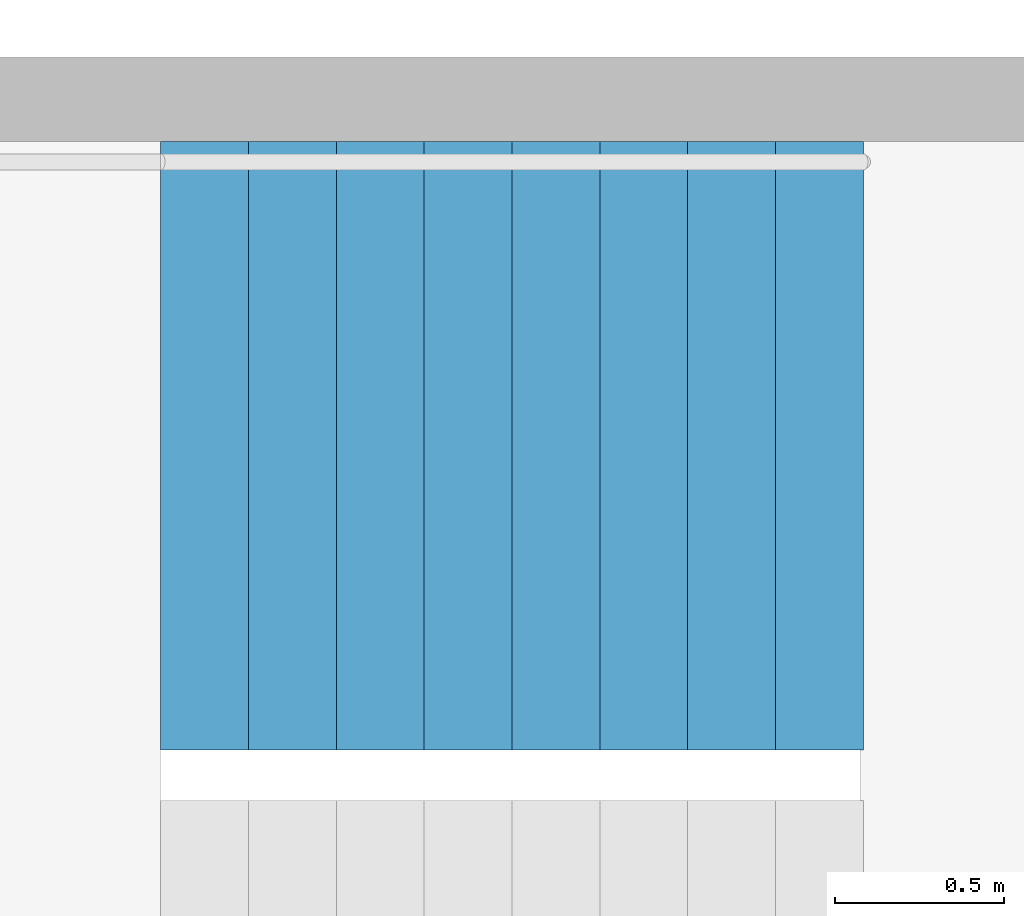
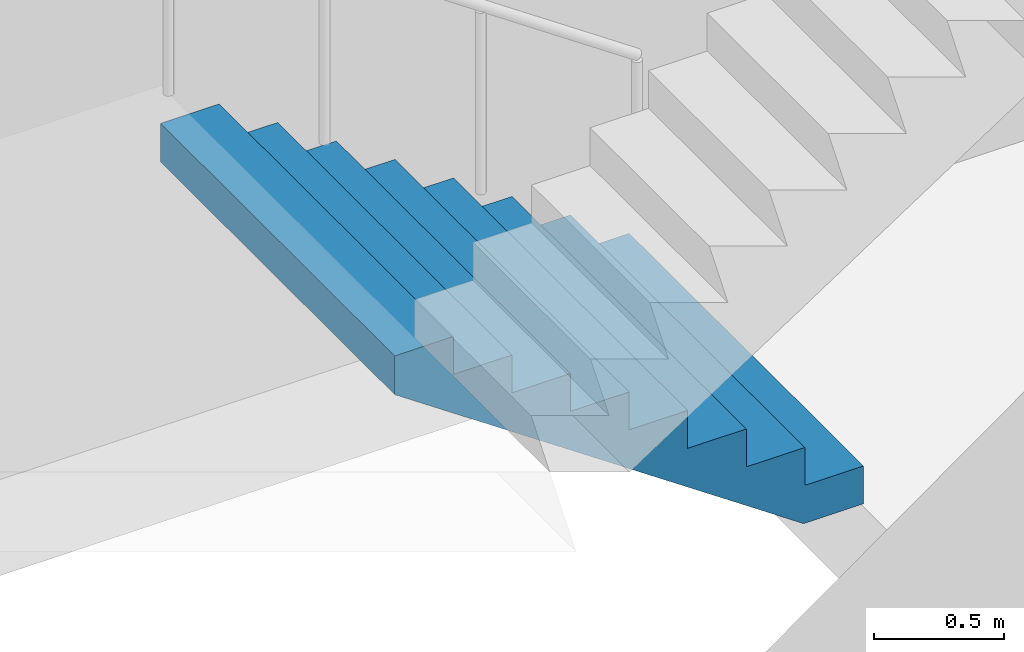
# One storey, part 19 of 26: 1 stair flight, 1 element without a shape of its own.
"""IFC4 building model written with IfcOpenShell, lengths in metres."""

from ifc_helpers import new_model, si_unit, direction, frame, origin, place, context, subcontext, project, spatial, triangles, material, type_object, element, aggregate, save


model = new_model("IFC4")

# Units and contexts
model_context = context("Model", 3, precision=1e-05, world=origin(), true_north=direction((0.0, 1.0)))
body_context = subcontext(model_context, "Body", "Model", "MODEL_VIEW")
ifc_project = project(units=[si_unit("LENGTHUNIT", "METRE"), si_unit("AREAUNIT", "SQUARE_METRE"), si_unit("VOLUMEUNIT", "CUBIC_METRE"), si_unit("PLANEANGLEUNIT", "RADIAN"), si_unit("MASSUNIT", "GRAM", prefix="KILO")], contexts=[model_context])

# Site, building, storey
site_placement = place(None, origin())
site = spatial("IfcSite", under=ifc_project, at=site_placement, CompositionType="ELEMENT")
building_placement = place(site_placement, origin())
building = spatial("IfcBuilding", under=site, at=building_placement, Name="Hakoniwa Tower and Hamabe Station Hall", CompositionType="ELEMENT")
storey_placement = place(building_placement, frame((0.0, 0.0, 172.60009765625)))
storey = spatial("IfcBuildingStorey", under=building, at=storey_placement, Name="L49", CompositionType="ELEMENT", Elevation=172.60009765625)

# Stair, stair flight
ifc_material_1 = material(Name="Concrete C40", Category="concrete")
stair_type = type_object("IfcStairType", Name="ESCAPE STAIR 1800", PredefinedType="HALF_TURN_STAIR", material=ifc_material_1)
stair_placement = place(storey_placement, origin())
stair = element("IfcStair", 1, at=stair_placement, inside=storey, type_object=stair_type, Name="Escape stair ST-2 L49", PredefinedType="HALF_TURN_STAIR")
ifc_material_2 = material(Name="Concrete C40", Category="concrete")
stair_flight_type = type_object("IfcStairFlightType", Name="STAIR FLIGHT 1800", PredefinedType="STRAIGHT", material=ifc_material_2)
stair_flight_placement = place(storey_placement, frame((-23.39990234375, -4.64990234375, 0.0), z_axis=(0.0, 0.0, 1.0), x_axis=(-1.0, 0.0, 0.0)))
stair_flight = element("IfcStairFlight", 2, at=stair_flight_placement, type_object=stair_flight_type, Name="ST-2 flight 1", NumberOfRisers=9, NumberOfTreads=8, PredefinedType="STRAIGHT", RiserHeight=0.177777778, TreadLength=0.26, context=body_context, shape_type="Tessellation", body=[
    triangles([(0.0, 0.89990234375, 0.0), (0.260009765625, 0.89990234375, 0.0), (0.265625, 0.89990234375, 0.0), (0.52001953125, 0.89990234375, 0.174072265625), (0.780029296875, 0.89990234375, 0.351806640625), (1.0400390625, 0.89990234375, 0.529541015625), (1.300048828125, 0.89990234375, 0.707275390625), (1.56005859375, 0.89990234375, 0.885009765625), (1.820068359375, 0.89990234375, 1.062744140625), (2.080078125, 0.89990234375, 1.24072265625), (2.080078125, 0.89990234375, 1.422119140625), (1.820068359375, 0.89990234375, 1.422119140625), (1.820068359375, 0.89990234375, 1.244384765625), (1.56005859375, 0.89990234375, 1.244384765625), (1.56005859375, 0.89990234375, 1.066650390625), (1.300048828125, 0.89990234375, 1.066650390625), (1.300048828125, 0.89990234375, 0.888916015625), (1.0400390625, 0.89990234375, 0.888916015625), (1.0400390625, 0.89990234375, 0.711181640625), (0.780029296875, 0.89990234375, 0.711181640625), (0.780029296875, 0.89990234375, 0.533447265625), (0.52001953125, 0.89990234375, 0.533447265625), (0.52001953125, 0.89990234375, 0.35546875), (0.265625, 0.89990234375, 0.35546875), (0.260009765625, 0.89990234375, 0.35546875), (0.260009765625, 0.89990234375, 0.177734375), (0.0, 0.89990234375, 0.177734375), (0.0, 0.06005859375, 0.0), (0.260009765625, 0.06005859375, 0.0), (0.265625, 0.06005859375, 0.0), (0.52001953125, 0.06005859375, 0.174072265625), (0.780029296875, 0.06005859375, 0.351806640625), (1.0400390625, 0.06005859375, 0.529541015625), (1.300048828125, 0.06005859375, 0.707275390625), (1.56005859375, 0.06005859375, 0.885009765625), (1.820068359375, 0.06005859375, 1.062744140625), (2.080078125, 0.06005859375, 1.24072265625), (2.080078125, 0.06005859375, 1.422119140625), (1.820068359375, 0.06005859375, 1.422119140625), (1.820068359375, 0.06005859375, 1.244384765625), (1.56005859375, 0.06005859375, 1.244384765625), (1.56005859375, 0.06005859375, 1.066650390625), (1.300048828125, 0.06005859375, 1.066650390625), (1.300048828125, 0.06005859375, 0.888916015625), (1.0400390625, 0.06005859375, 0.888916015625), (1.0400390625, 0.06005859375, 0.711181640625), (0.780029296875, 0.06005859375, 0.711181640625), (0.780029296875, 0.06005859375, 0.533447265625), (0.52001953125, 0.06005859375, 0.533447265625), (0.52001953125, 0.06005859375, 0.35546875), (0.265625, 0.06005859375, 0.35546875), (0.260009765625, 0.06005859375, 0.35546875), (0.260009765625, 0.06005859375, 0.177734375), (0.0, 0.06005859375, 0.177734375), (0.0, 0.04296875, 0.0), (0.260009765625, 0.04296875, 0.0), (0.265625, 0.04296875, 0.0), (0.52001953125, 0.04296875, 0.174072265625), (0.780029296875, 0.04296875, 0.351806640625), (1.0400390625, 0.04296875, 0.529541015625), (1.300048828125, 0.04296875, 0.707275390625), (1.56005859375, 0.04296875, 0.885009765625), (1.820068359375, 0.04296875, 1.062744140625), (2.080078125, 0.04296875, 1.24072265625), (2.080078125, 0.04296875, 1.422119140625), (1.820068359375, 0.04296875, 1.422119140625), (1.820068359375, 0.04296875, 1.244384765625), (1.56005859375, 0.04296875, 1.244384765625), (1.56005859375, 0.04296875, 1.066650390625), (1.300048828125, 0.04296875, 1.066650390625), (1.300048828125, 0.04296875, 0.888916015625), (1.0400390625, 0.04296875, 0.888916015625), (1.0400390625, 0.04296875, 0.711181640625), (0.780029296875, 0.04296875, 0.711181640625), (0.780029296875, 0.04296875, 0.533447265625), (0.52001953125, 0.04296875, 0.533447265625), (0.52001953125, 0.04296875, 0.35546875), (0.265625, 0.04296875, 0.35546875), (0.260009765625, 0.04296875, 0.35546875), (0.260009765625, 0.04296875, 0.177734375), (0.0, 0.04296875, 0.177734375), (0.0, 0.025634765625, 0.0), (0.260009765625, 0.025634765625, 0.0), (0.265625, 0.025634765625, 0.0), (0.52001953125, 0.025634765625, 0.174072265625), (0.780029296875, 0.025634765625, 0.351806640625), (1.0400390625, 0.025634765625, 0.529541015625), (1.300048828125, 0.025634765625, 0.707275390625), (1.56005859375, 0.025634765625, 0.885009765625), (1.820068359375, 0.025634765625, 1.062744140625), (2.080078125, 0.025634765625, 1.24072265625), (2.080078125, 0.025634765625, 1.422119140625), (1.820068359375, 0.025634765625, 1.422119140625), (1.820068359375, 0.025634765625, 1.244384765625), (1.56005859375, 0.025634765625, 1.244384765625), (1.56005859375, 0.025634765625, 1.066650390625), (1.300048828125, 0.025634765625, 1.066650390625), (1.300048828125, 0.025634765625, 0.888916015625), (1.0400390625, 0.025634765625, 0.888916015625), (1.0400390625, 0.025634765625, 0.711181640625), (0.780029296875, 0.025634765625, 0.711181640625), (0.780029296875, 0.025634765625, 0.533447265625), (0.52001953125, 0.025634765625, 0.533447265625), (0.52001953125, 0.025634765625, 0.35546875), (0.265625, 0.025634765625, 0.35546875), (0.260009765625, 0.025634765625, 0.35546875), (0.260009765625, 0.025634765625, 0.177734375), (0.0, 0.025634765625, 0.177734375), (0.0, 0.008544921875, 0.0), (0.260009765625, 0.008544921875, 0.0), (0.265625, 0.008544921875, 0.0), (0.52001953125, 0.008544921875, 0.174072265625), (0.780029296875, 0.008544921875, 0.351806640625), (1.0400390625, 0.008544921875, 0.529541015625), (1.300048828125, 0.008544921875, 0.707275390625), (1.56005859375, 0.008544921875, 0.885009765625), (1.820068359375, 0.008544921875, 1.062744140625), (2.080078125, 0.008544921875, 1.24072265625), (2.080078125, 0.008544921875, 1.422119140625), (1.820068359375, 0.008544921875, 1.422119140625), (1.820068359375, 0.008544921875, 1.244384765625), (1.56005859375, 0.008544921875, 1.244384765625), (1.56005859375, 0.008544921875, 1.066650390625), (1.300048828125, 0.008544921875, 1.066650390625), (1.300048828125, 0.008544921875, 0.888916015625), (1.0400390625, 0.008544921875, 0.888916015625), (1.0400390625, 0.008544921875, 0.711181640625), (0.780029296875, 0.008544921875, 0.711181640625), (0.780029296875, 0.008544921875, 0.533447265625), (0.52001953125, 0.008544921875, 0.533447265625), (0.52001953125, 0.008544921875, 0.35546875), (0.265625, 0.008544921875, 0.35546875), (0.260009765625, 0.008544921875, 0.35546875), (0.260009765625, 0.008544921875, 0.177734375), (0.0, 0.008544921875, 0.177734375), (0.0, -0.008544921875, 0.0), (0.260009765625, -0.008544921875, 0.0), (0.265625, -0.008544921875, 0.0), (0.52001953125, -0.008544921875, 0.174072265625), (0.780029296875, -0.008544921875, 0.351806640625), (1.0400390625, -0.008544921875, 0.529541015625), (1.300048828125, -0.008544921875, 0.707275390625), (1.56005859375, -0.008544921875, 0.885009765625), (1.820068359375, -0.008544921875, 1.062744140625), (2.080078125, -0.008544921875, 1.24072265625), (2.080078125, -0.008544921875, 1.422119140625), (1.820068359375, -0.008544921875, 1.422119140625), (1.820068359375, -0.008544921875, 1.244384765625), (1.56005859375, -0.008544921875, 1.244384765625), (1.56005859375, -0.008544921875, 1.066650390625), (1.300048828125, -0.008544921875, 1.066650390625), (1.300048828125, -0.008544921875, 0.888916015625), (1.0400390625, -0.008544921875, 0.888916015625), (1.0400390625, -0.008544921875, 0.711181640625), (0.780029296875, -0.008544921875, 0.711181640625), (0.780029296875, -0.008544921875, 0.533447265625), (0.52001953125, -0.008544921875, 0.533447265625), (0.52001953125, -0.008544921875, 0.35546875), (0.265625, -0.008544921875, 0.35546875), (0.260009765625, -0.008544921875, 0.35546875), (0.260009765625, -0.008544921875, 0.177734375), (0.0, -0.008544921875, 0.177734375), (0.0, -0.025634765625, 0.0), (0.260009765625, -0.025634765625, 0.0), (0.265625, -0.025634765625, 0.0), (0.52001953125, -0.025634765625, 0.174072265625), (0.780029296875, -0.025634765625, 0.351806640625), (1.0400390625, -0.025634765625, 0.529541015625), (1.300048828125, -0.025634765625, 0.707275390625), (1.56005859375, -0.025634765625, 0.885009765625), (1.820068359375, -0.025634765625, 1.062744140625), (2.080078125, -0.025634765625, 1.24072265625), (2.080078125, -0.025634765625, 1.422119140625), (1.820068359375, -0.025634765625, 1.422119140625), (1.820068359375, -0.025634765625, 1.244384765625), (1.56005859375, -0.025634765625, 1.244384765625), (1.56005859375, -0.025634765625, 1.066650390625), (1.300048828125, -0.025634765625, 1.066650390625), (1.300048828125, -0.025634765625, 0.888916015625), (1.0400390625, -0.025634765625, 0.888916015625), (1.0400390625, -0.025634765625, 0.711181640625), (0.780029296875, -0.025634765625, 0.711181640625), (0.780029296875, -0.025634765625, 0.533447265625), (0.52001953125, -0.025634765625, 0.533447265625), (0.52001953125, -0.025634765625, 0.35546875), (0.265625, -0.025634765625, 0.35546875), (0.260009765625, -0.025634765625, 0.35546875), (0.260009765625, -0.025634765625, 0.177734375), (0.0, -0.025634765625, 0.177734375), (0.0, -0.04296875, 0.0), (0.260009765625, -0.04296875, 0.0), (0.265625, -0.04296875, 0.0), (0.52001953125, -0.04296875, 0.174072265625), (0.780029296875, -0.04296875, 0.351806640625), (1.0400390625, -0.04296875, 0.529541015625), (1.300048828125, -0.04296875, 0.707275390625), (1.56005859375, -0.04296875, 0.885009765625), (1.820068359375, -0.04296875, 1.062744140625), (2.080078125, -0.04296875, 1.24072265625), (2.080078125, -0.04296875, 1.422119140625), (1.820068359375, -0.04296875, 1.422119140625), (1.820068359375, -0.04296875, 1.244384765625), (1.56005859375, -0.04296875, 1.244384765625), (1.56005859375, -0.04296875, 1.066650390625), (1.300048828125, -0.04296875, 1.066650390625), (1.300048828125, -0.04296875, 0.888916015625), (1.0400390625, -0.04296875, 0.888916015625), (1.0400390625, -0.04296875, 0.711181640625), (0.780029296875, -0.04296875, 0.711181640625), (0.780029296875, -0.04296875, 0.533447265625), (0.52001953125, -0.04296875, 0.533447265625), (0.52001953125, -0.04296875, 0.35546875), (0.265625, -0.04296875, 0.35546875), (0.260009765625, -0.04296875, 0.35546875), (0.260009765625, -0.04296875, 0.177734375), (0.0, -0.04296875, 0.177734375), (0.0, -0.06005859375, 0.0), (0.260009765625, -0.06005859375, 0.0), (0.265625, -0.06005859375, 0.0), (0.52001953125, -0.06005859375, 0.174072265625), (0.780029296875, -0.06005859375, 0.351806640625), (1.0400390625, -0.06005859375, 0.529541015625), (1.300048828125, -0.06005859375, 0.707275390625), (1.56005859375, -0.06005859375, 0.885009765625), (1.820068359375, -0.06005859375, 1.062744140625), (2.080078125, -0.06005859375, 1.24072265625), (2.080078125, -0.06005859375, 1.422119140625), (1.820068359375, -0.06005859375, 1.422119140625), (1.820068359375, -0.06005859375, 1.244384765625), (1.56005859375, -0.06005859375, 1.244384765625), (1.56005859375, -0.06005859375, 1.066650390625), (1.300048828125, -0.06005859375, 1.066650390625), (1.300048828125, -0.06005859375, 0.888916015625), (1.0400390625, -0.06005859375, 0.888916015625), (1.0400390625, -0.06005859375, 0.711181640625), (0.780029296875, -0.06005859375, 0.711181640625), (0.780029296875, -0.06005859375, 0.533447265625), (0.52001953125, -0.06005859375, 0.533447265625), (0.52001953125, -0.06005859375, 0.35546875), (0.265625, -0.06005859375, 0.35546875), (0.260009765625, -0.06005859375, 0.35546875), (0.260009765625, -0.06005859375, 0.177734375), (0.0, -0.06005859375, 0.177734375), (0.0, -0.89990234375, 0.0), (0.260009765625, -0.89990234375, 0.0), (0.265625, -0.89990234375, 0.0), (0.52001953125, -0.89990234375, 0.174072265625), (0.780029296875, -0.89990234375, 0.351806640625), (1.0400390625, -0.89990234375, 0.529541015625), (1.300048828125, -0.89990234375, 0.707275390625), (1.56005859375, -0.89990234375, 0.885009765625), (1.820068359375, -0.89990234375, 1.062744140625), (2.080078125, -0.89990234375, 1.24072265625), (2.080078125, -0.89990234375, 1.422119140625), (1.820068359375, -0.89990234375, 1.422119140625), (1.820068359375, -0.89990234375, 1.244384765625), (1.56005859375, -0.89990234375, 1.244384765625), (1.56005859375, -0.89990234375, 1.066650390625), (1.300048828125, -0.89990234375, 1.066650390625), (1.300048828125, -0.89990234375, 0.888916015625), (1.0400390625, -0.89990234375, 0.888916015625), (1.0400390625, -0.89990234375, 0.711181640625), (0.780029296875, -0.89990234375, 0.711181640625), (0.780029296875, -0.89990234375, 0.533447265625), (0.52001953125, -0.89990234375, 0.533447265625), (0.52001953125, -0.89990234375, 0.35546875), (0.265625, -0.89990234375, 0.35546875), (0.260009765625, -0.89990234375, 0.35546875), (0.260009765625, -0.89990234375, 0.177734375), (0.0, -0.89990234375, 0.177734375)], [[2, 27, 26], [245, 269, 270], [2, 1, 27], [245, 270, 244], [3, 25, 24], [246, 267, 268], [3, 26, 25], [246, 268, 269], [3, 2, 26], [246, 269, 245], [4, 24, 23], [247, 266, 267], [4, 3, 24], [247, 267, 246], [5, 22, 21], [248, 264, 265], [5, 23, 22], [248, 265, 266], [5, 4, 23], [248, 266, 247], [6, 20, 19], [249, 262, 263], [6, 21, 20], [249, 263, 264], [6, 5, 21], [249, 264, 248], [7, 18, 17], [250, 260, 261], [7, 19, 18], [250, 261, 262], [7, 6, 19], [250, 262, 249], [8, 16, 15], [251, 258, 259], [8, 17, 16], [251, 259, 260], [8, 7, 17], [251, 260, 250], [9, 14, 13], [252, 256, 257], [9, 15, 14], [252, 257, 258], [9, 8, 15], [252, 258, 251], [10, 12, 11], [253, 254, 255], [10, 13, 12], [253, 255, 256], [10, 9, 13], [253, 256, 252], [1, 2, 29], [1, 29, 28], [28, 29, 56], [28, 56, 55], [55, 56, 83], [55, 83, 82], [82, 83, 110], [82, 110, 109], [109, 110, 137], [109, 137, 136], [136, 137, 164], [136, 164, 163], [163, 164, 191], [163, 191, 190], [190, 191, 218], [190, 218, 217], [217, 218, 245], [217, 245, 244], [2, 3, 30], [2, 30, 29], [29, 30, 57], [29, 57, 56], [56, 57, 84], [56, 84, 83], [83, 84, 111], [83, 111, 110], [110, 111, 138], [110, 138, 137], [137, 138, 165], [137, 165, 164], [164, 165, 192], [164, 192, 191], [191, 192, 219], [191, 219, 218], [218, 219, 246], [218, 246, 245], [3, 4, 31], [3, 31, 30], [30, 31, 58], [30, 58, 57], [57, 58, 85], [57, 85, 84], [84, 85, 112], [84, 112, 111], [111, 112, 139], [111, 139, 138], [138, 139, 166], [138, 166, 165], [165, 166, 193], [165, 193, 192], [192, 193, 220], [192, 220, 219], [219, 220, 247], [219, 247, 246], [4, 5, 32], [4, 32, 31], [31, 32, 59], [31, 59, 58], [58, 59, 86], [58, 86, 85], [85, 86, 113], [85, 113, 112], [112, 113, 140], [112, 140, 139], [139, 140, 167], [139, 167, 166], [166, 167, 194], [166, 194, 193], [193, 194, 221], [193, 221, 220], [220, 221, 248], [220, 248, 247], [5, 6, 33], [5, 33, 32], [32, 33, 60], [32, 60, 59], [59, 60, 87], [59, 87, 86], [86, 87, 114], [86, 114, 113], [113, 114, 141], [113, 141, 140], [140, 141, 168], [140, 168, 167], [167, 168, 195], [167, 195, 194], [194, 195, 222], [194, 222, 221], [221, 222, 249], [221, 249, 248], [6, 7, 34], [6, 34, 33], [33, 34, 61], [33, 61, 60], [60, 61, 88], [60, 88, 87], [87, 88, 115], [87, 115, 114], [114, 115, 142], [114, 142, 141], [141, 142, 169], [141, 169, 168], [168, 169, 196], [168, 196, 195], [195, 196, 223], [195, 223, 222], [222, 223, 250], [222, 250, 249], [7, 8, 35], [7, 35, 34], [34, 35, 62], [34, 62, 61], [61, 62, 89], [61, 89, 88], [88, 89, 116], [88, 116, 115], [115, 116, 143], [115, 143, 142], [142, 143, 170], [142, 170, 169], [169, 170, 197], [169, 197, 196], [196, 197, 224], [196, 224, 223], [223, 224, 251], [223, 251, 250], [8, 9, 36], [8, 36, 35], [35, 36, 63], [35, 63, 62], [62, 63, 90], [62, 90, 89], [89, 90, 117], [89, 117, 116], [116, 117, 144], [116, 144, 143], [143, 144, 171], [143, 171, 170], [170, 171, 198], [170, 198, 197], [197, 198, 225], [197, 225, 224], [224, 225, 252], [224, 252, 251], [9, 10, 37], [9, 37, 36], [36, 37, 64], [36, 64, 63], [63, 64, 91], [63, 91, 90], [90, 91, 118], [90, 118, 117], [117, 118, 145], [117, 145, 144], [144, 145, 172], [144, 172, 171], [171, 172, 199], [171, 199, 198], [198, 199, 226], [198, 226, 225], [225, 226, 253], [225, 253, 252], [10, 11, 38], [10, 38, 37], [37, 38, 65], [37, 65, 64], [64, 65, 92], [64, 92, 91], [91, 92, 119], [91, 119, 118], [118, 119, 146], [118, 146, 145], [145, 146, 173], [145, 173, 172], [172, 173, 200], [172, 200, 199], [199, 200, 227], [199, 227, 226], [226, 227, 254], [226, 254, 253], [11, 12, 39], [11, 39, 38], [38, 39, 66], [38, 66, 65], [65, 66, 93], [65, 93, 92], [92, 93, 120], [92, 120, 119], [119, 120, 147], [119, 147, 146], [146, 147, 174], [146, 174, 173], [173, 174, 201], [173, 201, 200], [200, 201, 228], [200, 228, 227], [227, 228, 255], [227, 255, 254], [12, 13, 40], [12, 40, 39], [39, 40, 67], [39, 67, 66], [66, 67, 94], [66, 94, 93], [93, 94, 121], [93, 121, 120], [120, 121, 148], [120, 148, 147], [147, 148, 175], [147, 175, 174], [174, 175, 202], [174, 202, 201], [201, 202, 229], [201, 229, 228], [228, 229, 256], [228, 256, 255], [13, 14, 41], [13, 41, 40], [40, 41, 68], [40, 68, 67], [67, 68, 95], [67, 95, 94], [94, 95, 122], [94, 122, 121], [121, 122, 149], [121, 149, 148], [148, 149, 176], [148, 176, 175], [175, 176, 203], [175, 203, 202], [202, 203, 230], [202, 230, 229], [229, 230, 257], [229, 257, 256], [14, 15, 42], [14, 42, 41], [41, 42, 69], [41, 69, 68], [68, 69, 96], [68, 96, 95], [95, 96, 123], [95, 123, 122], [122, 123, 150], [122, 150, 149], [149, 150, 177], [149, 177, 176], [176, 177, 204], [176, 204, 203], [203, 204, 231], [203, 231, 230], [230, 231, 258], [230, 258, 257], [15, 16, 43], [15, 43, 42], [42, 43, 70], [42, 70, 69], [69, 70, 97], [69, 97, 96], [96, 97, 124], [96, 124, 123], [123, 124, 151], [123, 151, 150], [150, 151, 178], [150, 178, 177], [177, 178, 205], [177, 205, 204], [204, 205, 232], [204, 232, 231], [231, 232, 259], [231, 259, 258], [16, 17, 44], [16, 44, 43], [43, 44, 71], [43, 71, 70], [70, 71, 98], [70, 98, 97], [97, 98, 125], [97, 125, 124], [124, 125, 152], [124, 152, 151], [151, 152, 179], [151, 179, 178], [178, 179, 206], [178, 206, 205], [205, 206, 233], [205, 233, 232], [232, 233, 260], [232, 260, 259], [17, 18, 45], [17, 45, 44], [44, 45, 72], [44, 72, 71], [71, 72, 99], [71, 99, 98], [98, 99, 126], [98, 126, 125], [125, 126, 153], [125, 153, 152], [152, 153, 180], [152, 180, 179], [179, 180, 207], [179, 207, 206], [206, 207, 234], [206, 234, 233], [233, 234, 261], [233, 261, 260], [18, 19, 46], [18, 46, 45], [45, 46, 73], [45, 73, 72], [72, 73, 100], [72, 100, 99], [99, 100, 127], [99, 127, 126], [126, 127, 154], [126, 154, 153], [153, 154, 181], [153, 181, 180], [180, 181, 208], [180, 208, 207], [207, 208, 235], [207, 235, 234], [234, 235, 262], [234, 262, 261], [19, 20, 47], [19, 47, 46], [46, 47, 74], [46, 74, 73], [73, 74, 101], [73, 101, 100], [100, 101, 128], [100, 128, 127], [127, 128, 155], [127, 155, 154], [154, 155, 182], [154, 182, 181], [181, 182, 209], [181, 209, 208], [208, 209, 236], [208, 236, 235], [235, 236, 263], [235, 263, 262], [20, 21, 48], [20, 48, 47], [47, 48, 75], [47, 75, 74], [74, 75, 102], [74, 102, 101], [101, 102, 129], [101, 129, 128], [128, 129, 156], [128, 156, 155], [155, 156, 183], [155, 183, 182], [182, 183, 210], [182, 210, 209], [209, 210, 237], [209, 237, 236], [236, 237, 264], [236, 264, 263], [21, 22, 49], [21, 49, 48], [48, 49, 76], [48, 76, 75], [75, 76, 103], [75, 103, 102], [102, 103, 130], [102, 130, 129], [129, 130, 157], [129, 157, 156], [156, 157, 184], [156, 184, 183], [183, 184, 211], [183, 211, 210], [210, 211, 238], [210, 238, 237], [237, 238, 265], [237, 265, 264], [22, 23, 50], [22, 50, 49], [49, 50, 77], [49, 77, 76], [76, 77, 104], [76, 104, 103], [103, 104, 131], [103, 131, 130], [130, 131, 158], [130, 158, 157], [157, 158, 185], [157, 185, 184], [184, 185, 212], [184, 212, 211], [211, 212, 239], [211, 239, 238], [238, 239, 266], [238, 266, 265], [23, 24, 51], [23, 51, 50], [50, 51, 78], [50, 78, 77], [77, 78, 105], [77, 105, 104], [104, 105, 132], [104, 132, 131], [131, 132, 159], [131, 159, 158], [158, 159, 186], [158, 186, 185], [185, 186, 213], [185, 213, 212], [212, 213, 240], [212, 240, 239], [239, 240, 267], [239, 267, 266], [24, 25, 52], [24, 52, 51], [51, 52, 79], [51, 79, 78], [78, 79, 106], [78, 106, 105], [105, 106, 133], [105, 133, 132], [132, 133, 160], [132, 160, 159], [159, 160, 187], [159, 187, 186], [186, 187, 214], [186, 214, 213], [213, 214, 241], [213, 241, 240], [240, 241, 268], [240, 268, 267], [25, 26, 53], [25, 53, 52], [52, 53, 80], [52, 80, 79], [79, 80, 107], [79, 107, 106], [106, 107, 134], [106, 134, 133], [133, 134, 161], [133, 161, 160], [160, 161, 188], [160, 188, 187], [187, 188, 215], [187, 215, 214], [214, 215, 242], [214, 242, 241], [241, 242, 269], [241, 269, 268], [26, 27, 54], [26, 54, 53], [53, 54, 81], [53, 81, 80], [80, 81, 108], [80, 108, 107], [107, 108, 135], [107, 135, 134], [134, 135, 162], [134, 162, 161], [161, 162, 189], [161, 189, 188], [188, 189, 216], [188, 216, 215], [215, 216, 243], [215, 243, 242], [242, 243, 270], [242, 270, 269], [27, 1, 28], [27, 28, 54], [54, 28, 55], [54, 55, 81], [81, 55, 82], [81, 82, 108], [108, 82, 109], [108, 109, 135], [135, 109, 136], [135, 136, 162], [162, 136, 163], [162, 163, 189], [189, 163, 190], [189, 190, 216], [216, 190, 217], [216, 217, 243], [243, 217, 244], [243, 244, 270]], closed=True),
])
aggregate(stair, [stair_flight])

save(model, "model.ifc")
